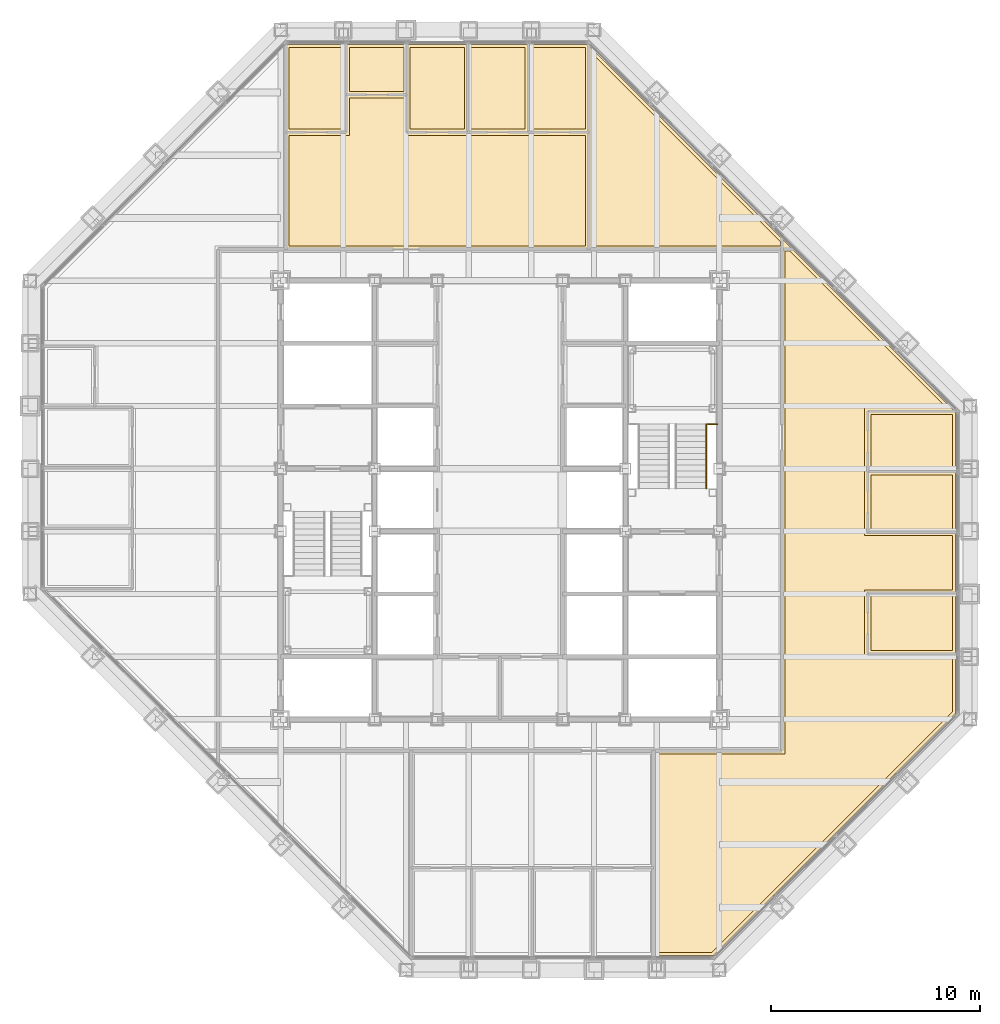
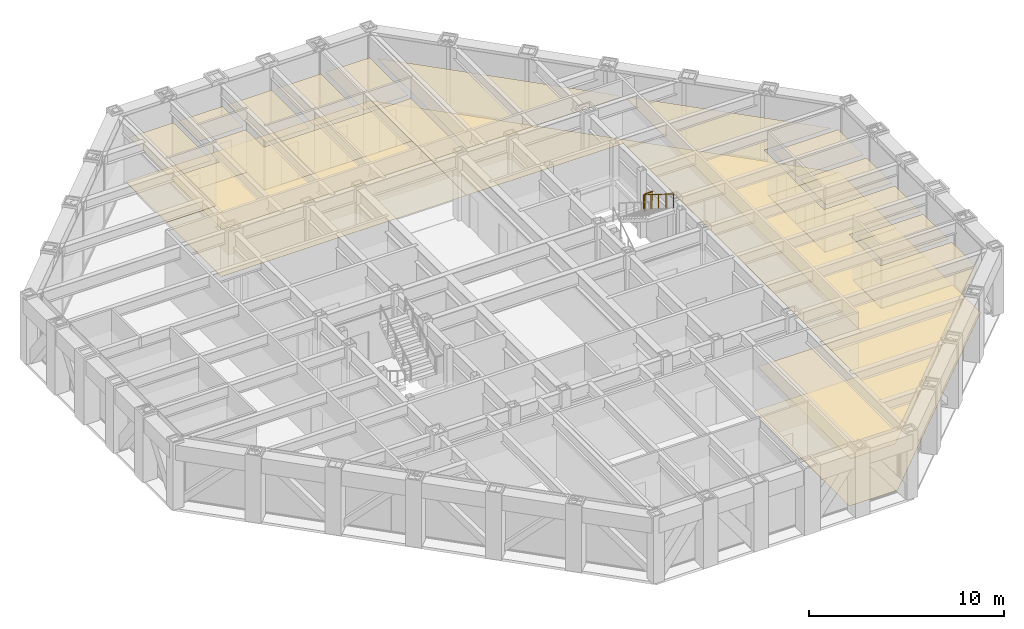
# One storey, part 16 of 16: 21 coverings, 2 railings.
"""IFC4 building model written with IfcOpenShell, lengths in metres."""

from ifc_helpers import new_model, si_unit, direction, frame, origin, origin_2d, place, context, subcontext, project, spatial, polyline, circle, outline, extrude, material, layer, layer_set, type_object, element, save


model = new_model("IFC4")

# Units and contexts
model_context = context("Model", 3, precision=1e-05, world=origin(), true_north=direction((0.0, 1.0)))
body_context = subcontext(model_context, "Body", "Model", "MODEL_VIEW")
ifc_project = project(units=[si_unit("LENGTHUNIT", "METRE"), si_unit("AREAUNIT", "SQUARE_METRE"), si_unit("VOLUMEUNIT", "CUBIC_METRE"), si_unit("PLANEANGLEUNIT", "RADIAN"), si_unit("MASSUNIT", "GRAM", prefix="KILO")], contexts=[model_context])

# Site, building, storey
site_placement = place(None, origin())
site = spatial("IfcSite", under=ifc_project, at=site_placement, CompositionType="ELEMENT")
building_placement = place(site_placement, origin())
building = spatial("IfcBuilding", under=site, at=building_placement, Name="Chuquiago Exchange Tower", CompositionType="ELEMENT")
storey_placement = place(building_placement, frame((0.0, 0.0, 243.300048828125)))
storey = spatial("IfcBuildingStorey", under=building, at=storey_placement, Name="L54", CompositionType="ELEMENT", Elevation=243.300048828125)

# Coverings
ifc_material_1 = material(Name="Mineral fibre tile, 600 x 600, on pale metal grid", Category="mineral fibre")
ifc_layer_1 = layer(ifc_material_1, 0.02001953125)
ifc_layer_set_1 = layer_set([ifc_layer_1], Name="CL1 suspended tile ceiling 20")
covering_type_1 = type_object("IfcCoveringType", Name="CL1 suspended tile ceiling 20", PredefinedType="CEILING", material=ifc_layer_set_1)
covering_1_placement = place(storey_placement, frame((0.0, 0.0, 2.800048828125)))
element("IfcCovering", 1, at=covering_1_placement, inside=storey, type_object=covering_type_1, Name="Ceiling Reception", PredefinedType="CEILING", context=body_context, shape_type="SweptSolid", body=[
    extrude(outline(polyline([(40.25, 15.299072265625), (40.25, 17.899658203125), (44.14990234375, 17.899658203125), (44.14990234375, 15.299072265625), (40.25, 15.299072265625)])), origin(), (0.0, 0.0, 1.0), 0.02001953125),
])
covering_2_placement = place(storey_placement, frame((0.0, 0.0, 2.800048828125)))
element("IfcCovering", 2, at=covering_2_placement, inside=storey, type_object=covering_type_1, Name="Ceiling Office", PredefinedType="CEILING", context=body_context, shape_type="SweptSolid", body=[
    extrude(outline(polyline([(40.25, 21.100341796875), (40.25, 23.700927734375), (44.14990234375, 23.700927734375), (44.14990234375, 21.100341796875), (40.25, 21.100341796875)])), origin(), (0.0, 0.0, 1.0), 0.02001953125),
])
covering_3_placement = place(storey_placement, frame((0.0, 0.0, 2.800048828125)))
element("IfcCovering", 3, at=covering_3_placement, inside=storey, type_object=covering_type_1, Name="Ceiling Office", PredefinedType="CEILING", context=body_context, shape_type="SweptSolid", body=[
    extrude(outline(polyline([(44.14990234375, 24.0009765625), (40.25, 24.0009765625), (40.25, 26.6015625), (44.14990234375, 26.6015625), (44.14990234375, 24.0009765625)])), origin(), (0.0, 0.0, 1.0), 0.02001953125),
])
covering_4_placement = place(storey_placement, frame((0.0, 0.0, 2.800048828125)))
element("IfcCovering", 4, at=covering_4_placement, inside=storey, type_object=covering_type_1, Name="Ceiling Reception", PredefinedType="CEILING", context=body_context, shape_type="SweptSolid", body=[
    extrude(outline(polyline([(14.9990234375, 44.14990234375), (14.9990234375, 40.25), (12.3984375, 40.25), (12.3984375, 44.14990234375), (14.9990234375, 44.14990234375)])), origin(), (0.0, 0.0, 1.0), 0.02001953125),
])
covering_5_placement = place(storey_placement, frame((0.0, 0.0, 2.800048828125)))
element("IfcCovering", 5, at=covering_5_placement, inside=storey, type_object=covering_type_1, Name="Ceiling Focus room", PredefinedType="CEILING", context=body_context, shape_type="SweptSolid", body=[
    extrude(outline(polyline([(17.899658203125, 42.050048828125), (15.299072265625, 42.050048828125), (15.299072265625, 44.14990234375), (17.899658203125, 44.14990234375), (17.899658203125, 42.050048828125)])), origin(), (0.0, 0.0, 1.0), 0.02001953125),
])
covering_6_placement = place(storey_placement, frame((0.0, 0.0, 2.800048828125)))
element("IfcCovering", 6, at=covering_6_placement, inside=storey, type_object=covering_type_1, Name="Ceiling Office", PredefinedType="CEILING", context=body_context, shape_type="SweptSolid", body=[
    extrude(outline(polyline([(20.80029296875, 40.25), (18.19970703125, 40.25), (18.19970703125, 44.14990234375), (20.80029296875, 44.14990234375), (20.80029296875, 40.25)])), origin(), (0.0, 0.0, 1.0), 0.02001953125),
])
covering_7_placement = place(storey_placement, frame((0.0, 0.0, 2.800048828125)))
element("IfcCovering", 7, at=covering_7_placement, inside=storey, type_object=covering_type_1, Name="Ceiling Office", PredefinedType="CEILING", context=body_context, shape_type="SweptSolid", body=[
    extrude(outline(polyline([(23.700927734375, 40.25), (21.100341796875, 40.25), (21.100341796875, 44.14990234375), (23.700927734375, 44.14990234375), (23.700927734375, 40.25)])), origin(), (0.0, 0.0, 1.0), 0.02001953125),
])
covering_8_placement = place(storey_placement, frame((0.0, 0.0, 2.800048828125)))
element("IfcCovering", 8, at=covering_8_placement, inside=storey, type_object=covering_type_1, Name="Ceiling Office", PredefinedType="CEILING", context=body_context, shape_type="SweptSolid", body=[
    extrude(outline(polyline([(26.6015625, 40.25), (24.0009765625, 40.25), (24.0009765625, 44.14990234375), (26.6015625, 44.14990234375), (26.6015625, 40.25)])), origin(), (0.0, 0.0, 1.0), 0.02001953125),
])
covering_9_placement = place(storey_placement, frame((0.0, 0.0, 2.800048828125)))
element("IfcCovering", 9, at=covering_9_placement, inside=storey, type_object=covering_type_1, Name="Ceiling Open office north suite", PredefinedType="CEILING", context=body_context, shape_type="SweptSolid", body=[
    extrude(outline(polyline([(15.299072265625, 41.75), (17.899658203125, 41.75), (17.899658203125, 39.949951171875), (26.60107421875, 39.949951171875), (26.60107421875, 34.650390625), (12.39892578125, 34.650390625), (12.39892578125, 39.949951171875), (15.299072265625, 39.949951171875), (15.299072265625, 41.75)])), origin(), (0.0, 0.0, 1.0), 0.02001953125),
])
covering_10_placement = place(storey_placement, frame((0.0, 0.0, 2.800048828125)))
element("IfcCovering", 10, at=covering_10_placement, inside=storey, type_object=covering_type_1, Name="Ceiling Open office east suite", PredefinedType="CEILING", context=body_context, shape_type="SweptSolid", body=[
    extrude(outline(polyline([(43.896484375, 26.901611328125), (39.949951171875, 26.901611328125), (39.949951171875, 20.80029296875), (44.14990234375, 20.80029296875), (44.14990234375, 18.19970703125), (39.949951171875, 18.19970703125), (39.949951171875, 14.9990234375), (44.14990234375, 14.9990234375), (44.14990234375, 12.35205078125), (32.64794921875, 0.85009765625), (30.00146484375, 0.85009765625), (30.00146484375, 10.349609375), (36.150390625, 10.349853515625), (36.150390625, 34.4150390625), (36.383056640625, 34.4150390625), (43.896484375, 26.901611328125)])), origin(), (0.0, 0.0, 1.0), 0.02001953125),
])
covering_11_placement = place(storey_placement, frame((0.0, 0.0, 2.800048828125)))
element("IfcCovering", 11, at=covering_11_placement, inside=storey, type_object=covering_type_1, Name="Ceiling Open office east suite", PredefinedType="CEILING", context=body_context, shape_type="SweptSolid", body=[
    extrude(outline(polyline([(26.902099609375, 34.650390625), (26.902099609375, 43.89599609375), (35.9150390625, 34.883056640625), (35.9150390625, 34.64990234375), (26.902099609375, 34.650390625)])), origin(), (0.0, 0.0, 1.0), 0.02001953125),
])
ifc_material_2 = material(Name="Carpet tile, 500 x 500, on the floor slab", Category="textile")
ifc_layer_2 = layer(ifc_material_2, 0.010009765625)
ifc_layer_set_2 = layer_set([ifc_layer_2], Name="FL1 carpet tile 10")
covering_type_2 = type_object("IfcCoveringType", Name="FL1 carpet tile 10", PredefinedType="FLOORING", material=ifc_layer_set_2)
covering_12_placement = place(storey_placement, origin())
element("IfcCovering", 12, at=covering_12_placement, inside=storey, type_object=covering_type_2, Name="Floor finish Office", PredefinedType="FLOORING", context=body_context, shape_type="SweptSolid", body=[
    extrude(outline(polyline([(44.300048828125, 20.9501953125), (40.10009765625, 20.9501953125), (40.10009765625, 23.850830078125), (44.300048828125, 23.850830078125), (44.300048828125, 20.9501953125)])), origin(), (0.0, 0.0, 1.0), 0.010009765625),
])
covering_13_placement = place(storey_placement, origin())
element("IfcCovering", 13, at=covering_13_placement, inside=storey, type_object=covering_type_2, Name="Floor finish Office", PredefinedType="FLOORING", context=body_context, shape_type="SweptSolid", body=[
    extrude(outline(polyline([(44.300048828125, 26.710205078125), (44.300048828125, 23.850830078125), (40.10009765625, 23.850830078125), (40.10009765625, 26.75146484375), (44.258544921875, 26.75146484375), (44.300048828125, 26.710205078125)])), origin(), (0.0, 0.0, 1.0), 0.010009765625),
])
covering_14_placement = place(storey_placement, origin())
element("IfcCovering", 14, at=covering_14_placement, inside=storey, type_object=covering_type_2, Name="Floor finish Focus room", PredefinedType="FLOORING", context=body_context, shape_type="SweptSolid", body=[
    extrude(outline(polyline([(18.0498046875, 44.300048828125), (18.0498046875, 41.89990234375), (15.149169921875, 41.89990234375), (15.149169921875, 44.300048828125), (18.0498046875, 44.300048828125)])), origin(), (0.0, 0.0, 1.0), 0.010009765625),
])
covering_15_placement = place(storey_placement, origin())
element("IfcCovering", 15, at=covering_15_placement, inside=storey, type_object=covering_type_2, Name="Floor finish Office", PredefinedType="FLOORING", context=body_context, shape_type="SweptSolid", body=[
    extrude(outline(polyline([(20.9501953125, 44.300048828125), (20.9501953125, 40.10009765625), (18.0498046875, 40.10009765625), (18.0498046875, 44.300048828125), (20.9501953125, 44.300048828125)])), origin(), (0.0, 0.0, 1.0), 0.010009765625),
])
covering_16_placement = place(storey_placement, origin())
element("IfcCovering", 16, at=covering_16_placement, inside=storey, type_object=covering_type_2, Name="Floor finish Office", PredefinedType="FLOORING", context=body_context, shape_type="SweptSolid", body=[
    extrude(outline(polyline([(23.850830078125, 44.300048828125), (23.850830078125, 40.10009765625), (20.9501953125, 40.10009765625), (20.9501953125, 44.300048828125), (23.850830078125, 44.300048828125)])), origin(), (0.0, 0.0, 1.0), 0.010009765625),
])
covering_17_placement = place(storey_placement, origin())
element("IfcCovering", 17, at=covering_17_placement, inside=storey, type_object=covering_type_2, Name="Floor finish Office", PredefinedType="FLOORING", context=body_context, shape_type="SweptSolid", body=[
    extrude(outline(polyline([(26.710205078125, 44.300048828125), (26.75146484375, 44.258544921875), (26.75146484375, 40.10009765625), (23.850830078125, 40.10009765625), (23.850830078125, 44.300048828125), (26.710205078125, 44.300048828125)])), origin(), (0.0, 0.0, 1.0), 0.010009765625),
])
covering_18_placement = place(storey_placement, origin())
element("IfcCovering", 18, at=covering_18_placement, inside=storey, type_object=covering_type_2, Name="Floor finish Open office north suite", PredefinedType="FLOORING", context=body_context, shape_type="SweptSolid", body=[
    extrude(outline(polyline([(15.149169921875, 40.10009765625), (15.149169921875, 41.89990234375), (18.0498046875, 41.89990234375), (18.0498046875, 40.10009765625), (26.7509765625, 40.10009765625), (26.7509765625, 34.50048828125), (12.2490234375, 34.50048828125), (12.2490234375, 40.10009765625), (15.149169921875, 40.10009765625)])), origin(), (0.0, 0.0, 1.0), 0.010009765625),
])
covering_19_placement = place(storey_placement, origin())
element("IfcCovering", 19, at=covering_19_placement, inside=storey, type_object=covering_type_2, Name="Floor finish Open office east suite", PredefinedType="FLOORING", context=body_context, shape_type="SweptSolid", body=[
    extrude(outline(polyline([(44.258544921875, 26.75146484375), (40.10009765625, 26.75146484375), (40.10009765625, 20.9501953125), (44.300048828125, 20.9501953125), (44.300048828125, 18.0498046875), (40.10009765625, 18.0498046875), (40.10009765625, 15.149169921875), (44.300048828125, 15.149169921875), (44.300048828125, 12.289794921875), (32.710205078125, 0.699951171875), (29.851318359375, 0.699951171875), (29.851318359375, 10.49951171875), (36.00048828125, 10.5), (36.00048828125, 34.5), (26.751953125, 34.50048828125), (26.751953125, 44.258056640625), (44.258544921875, 26.75146484375)])), origin(), (0.0, 0.0, 1.0), 0.010009765625),
])
ifc_material_3 = material(Name="Porcelain floor tile, 600 x 600, on adhesive bed", Category="ceramic")
ifc_layer_3 = layer(ifc_material_3, 0.014892578125)
ifc_layer_set_3 = layer_set([ifc_layer_3], Name="FL2 porcelain tile 15")
covering_type_3 = type_object("IfcCoveringType", Name="FL2 porcelain tile 15", PredefinedType="FLOORING", material=ifc_layer_set_3)
covering_20_placement = place(storey_placement, origin())
element("IfcCovering", 20, at=covering_20_placement, inside=storey, type_object=covering_type_3, Name="Floor finish Reception", PredefinedType="FLOORING", context=body_context, shape_type="SweptSolid", body=[
    extrude(outline(polyline([(44.300048828125, 15.149169921875), (40.10009765625, 15.149169921875), (40.10009765625, 18.0498046875), (44.300048828125, 18.0498046875), (44.300048828125, 15.149169921875)])), origin(), (0.0, 0.0, 1.0), 0.014892578125),
])
covering_21_placement = place(storey_placement, origin())
element("IfcCovering", 21, at=covering_21_placement, inside=storey, type_object=covering_type_3, Name="Floor finish Reception", PredefinedType="FLOORING", context=body_context, shape_type="SweptSolid", body=[
    extrude(outline(polyline([(12.289794921875, 44.300048828125), (15.149169921875, 44.300048828125), (15.149169921875, 40.10009765625), (12.24853515625, 40.10009765625), (12.24853515625, 44.258544921875), (12.289794921875, 44.300048828125)])), origin(), (0.0, 0.0, 1.0), 0.014892578125),
])

# Railings
ifc_material_4 = material(Name="Pale metal guard with safety glass infill", Category="glass")
railing_type_1 = type_object("IfcRailingType", Name="GR1 guard 1100", PredefinedType="GUARDRAIL", material=ifc_material_4)
railing_1_placement = place(storey_placement, frame((32.445068359375, 26.1298828125, 2.099853515625)))
element("IfcRailing", 22, at=railing_1_placement, inside=storey, type_object=railing_type_1, Name="Guard ST2 L54 landing 2", PredefinedType="GUARDRAIL", context=body_context, shape_type="SweptSolid", body=[
    extrude(circle(Radius=0.02392578125, at=origin_2d()), frame((0.0, 0.0, 1.076171875), z_axis=(1.0, 0.0, 0.0), x_axis=(0.0, 1.0, 0.0)), (0.0, 0.0, 1.0), 0.454833984375),
    extrude(circle(Radius=0.02099609375, at=origin_2d()), origin(), (0.0, 0.0, 1.0), 1.052001953125),
    extrude(circle(Radius=0.02099609375, at=origin_2d()), frame((0.454833984375, 0.0, 0.0)), (0.0, 0.0, 1.0), 1.052001953125),
])
ifc_material_5 = material(Name="Pale metal handrail", Category="steel")
railing_type_2 = type_object("IfcRailingType", Name="HR1 handrail 900", PredefinedType="HANDRAIL", material=ifc_material_5)
railing_2_placement = place(storey_placement, frame((32.364990234375, 26.1298828125, 2.27490234375)))
element("IfcRailing", 23, at=railing_2_placement, inside=storey, type_object=railing_type_2, Name="Handrail ST2 L54 flight 2", PredefinedType="HANDRAIL", context=body_context, shape_type="SweptSolid", body=[
    extrude(circle(Radius=0.02392578125, at=origin_2d()), frame((0.0, 0.0, 0.8759765625), z_axis=(0.0, -0.847979421464, 0.530029150871), x_axis=(1.0, 0.0, 0.0)), (0.0, 0.0, 1.0), 3.632080078125),
    extrude(circle(Radius=0.02099609375, at=origin_2d()), origin(), (0.0, 0.0, 1.0), 0.851806640625),
    extrude(circle(Radius=0.02099609375, at=origin_2d()), frame((0.0, -0.77001953125, 0.481201171875)), (0.0, 0.0, 1.0), 0.851806640625),
    extrude(circle(Radius=0.02099609375, at=origin_2d()), frame((0.0, -1.5400390625, 0.96240234375)), (0.0, 0.0, 1.0), 0.851806640625),
    extrude(circle(Radius=0.02099609375, at=origin_2d()), frame((0.0, -2.309814453125, 1.44384765625)), (0.0, 0.0, 1.0), 0.851806640625),
    extrude(circle(Radius=0.02099609375, at=origin_2d()), frame((0.0, -3.079833984375, 1.925048828125)), (0.0, 0.0, 1.0), 0.851806640625),
])

save(model, "model.ifc")
